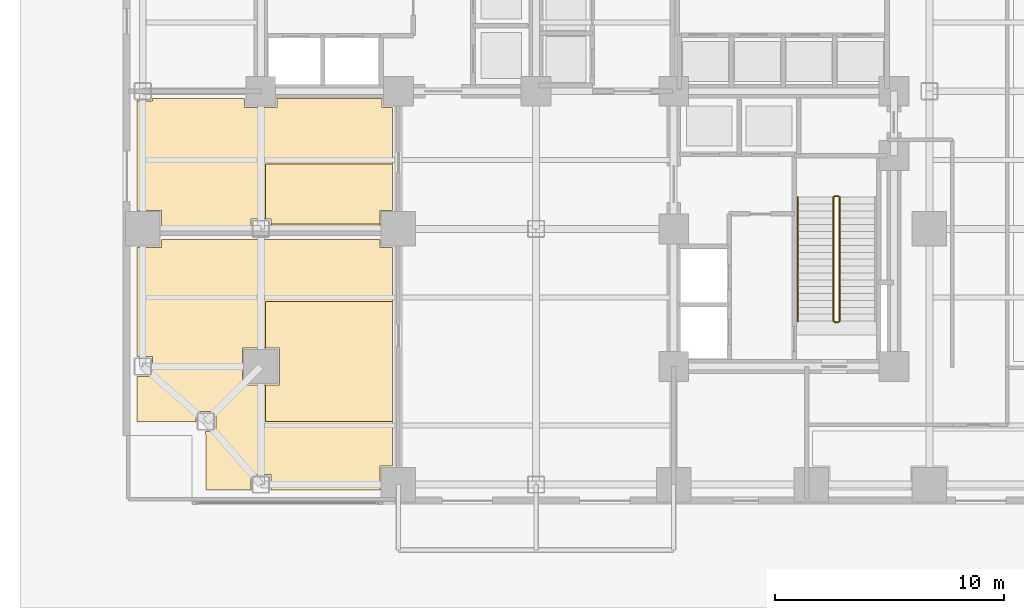
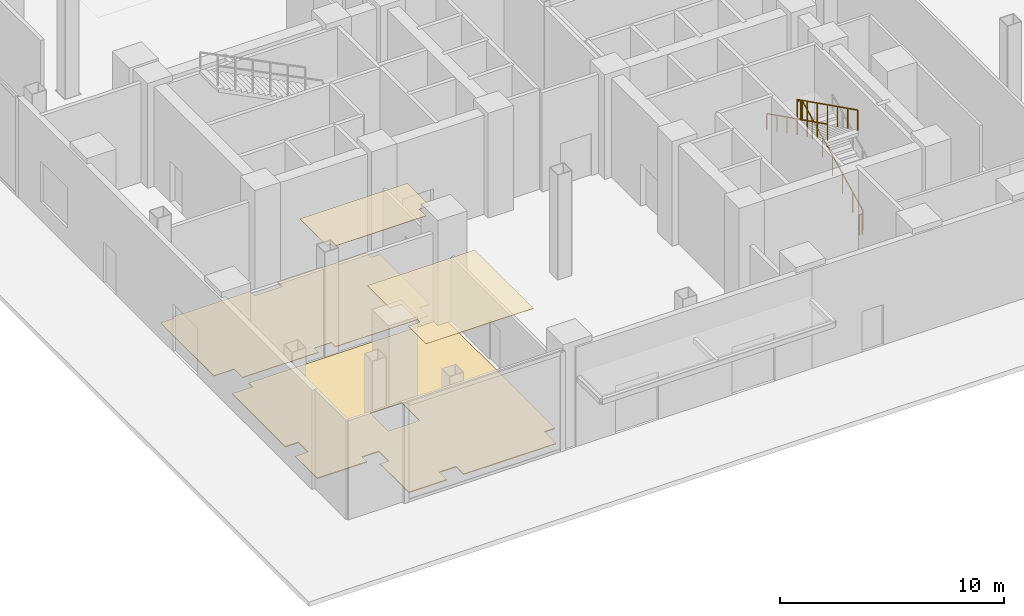
# One storey, part 22 of 27: 5 railings, 4 coverings.
"""IFC4 building model written with IfcOpenShell, lengths in metres."""

from ifc_helpers import new_model, si_unit, direction, frame, origin, origin_2d, place, context, subcontext, project, spatial, polyline, rectangle, outline, extrude, material, layer, layer_set, type_object, element, save


model = new_model("IFC4")

# Units and contexts
model_context = context("Model", 3, precision=1e-05, world=origin(), true_north=direction((0.0, 1.0)))
body_context = subcontext(model_context, "Body", "Model", "MODEL_VIEW")
ifc_project = project(units=[si_unit("LENGTHUNIT", "METRE"), si_unit("AREAUNIT", "SQUARE_METRE"), si_unit("VOLUMEUNIT", "CUBIC_METRE"), si_unit("PLANEANGLEUNIT", "RADIAN"), si_unit("MASSUNIT", "GRAM", prefix="KILO"), si_unit("THERMODYNAMICTEMPERATUREUNIT", "KELVIN"), si_unit("POWERUNIT", "WATT")], contexts=[model_context])

# Site, building, storey
site_placement = place(None, origin())
site = spatial("IfcSite", under=ifc_project, at=site_placement, CompositionType="ELEMENT")
building_placement = place(site_placement, origin())
building = spatial("IfcBuilding", under=site, at=building_placement, Name="Svarakhadi Broadcast Tower", CompositionType="ELEMENT")
storey_placement = place(building_placement, origin())
storey = spatial("IfcBuildingStorey", under=building, at=storey_placement, Name="L00", CompositionType="ELEMENT", Elevation=0.0)

# Coverings
ifc_material_1 = material(Name="Micro-Perforated Mineral Fibre Acoustic Ceiling Tile", Category="mineral_fibre")
ifc_layer_1 = layer(ifc_material_1, 0.02490234375)
ifc_layer_set_1 = layer_set([ifc_layer_1], Name="Micro-Perforated Mineral Fibre Acoustic Ceiling Tile")
covering_type_1 = type_object("IfcCoveringType", Name="Cov_Ceiling_Tile", PredefinedType="CEILING", material=ifc_layer_set_1)
covering_1_placement = place(storey_placement, frame((0.0, 0.0, 5.375)))
element("IfcCovering", 1, at=covering_1_placement, inside=storey, type_object=covering_type_1, Name="L00 Fire Command and BMS Control Room Acoustic Ceiling", PredefinedType="CEILING", context=body_context, shape_type="SweptSolid", body=[
    extrude(outline(polyline([(11.739990234375, 12.81005859375), (11.18994140625, 12.81005859375), (11.18994140625, 12.2099609375), (6.43505859375, 12.2099609375), (6.43505859375, 12.43505859375), (6.2099609375, 12.43505859375), (6.2099609375, 14.830078125), (11.739990234375, 14.830078125), (11.739990234375, 12.81005859375)])), origin(), (0.0, 0.0, 1.0), 0.02490234375),
])
covering_2_placement = place(storey_placement, frame((0.0, 0.0, 5.375)))
element("IfcCovering", 2, at=covering_2_placement, inside=storey, type_object=covering_type_1, Name="L00 Accredited Press Reception Lounge Acoustic Ceiling", PredefinedType="CEILING", context=body_context, shape_type="SweptSolid", body=[
    extrude(outline(polyline([(11.739990234375, 3.594970703125), (6.2099609375, 3.594970703125), (6.2099609375, 3.81005859375), (6.2099609375, 5.18994140625), (6.81005859375, 5.18994140625), (6.81005859375, 6.81005859375), (6.2099609375, 6.81005859375), (6.2099609375, 8.830078125), (11.739990234375, 8.830078125), (11.739990234375, 3.594970703125)])), origin(), (0.0, 0.0, 1.0), 0.02490234375),
])
ifc_material_2 = material(Name="Heavy-Duty Anti-Static Broadcast Raised Access Floor", Category="steel")
ifc_layer_2 = layer(ifc_material_2, 0.050048828125)
ifc_layer_set_2 = layer_set([ifc_layer_2], Name="Heavy-Duty Anti-Static Broadcast Raised Access Floor")
covering_type_2 = type_object("IfcCoveringType", Name="Cov_Floor_Access", PredefinedType="FLOORING", material=ifc_layer_set_2)
covering_3_placement = place(storey_placement, origin())
element("IfcCovering", 3, at=covering_3_placement, inside=storey, type_object=covering_type_2, Name="L00 Accredited Press Reception Lounge Floor Finish", PredefinedType="FLOORING", context=body_context, shape_type="SweptSolid", body=[
    extrude(outline(polyline([(11.739990234375, 1.659912109375), (11.18994140625, 1.659912109375), (11.18994140625, 0.610107421875), (6.43505859375, 0.610107421875), (6.43505859375, 1.284912109375), (5.56494140625, 1.284912109375), (5.56494140625, 0.610107421875), (3.60009765625, 0.610107421875), (3.60009765625, 3.0), (3.60009765625, 3.009033203125), (3.597900390625, 3.050048828125), (3.595947265625, 3.06689453125), (3.590087890625, 3.10791015625), (3.5869140625, 3.1259765625), (3.576904296875, 3.1650390625), (4.034912109375, 3.1650390625), (4.034912109375, 4.034912109375), (3.1650390625, 4.034912109375), (3.1650390625, 3.576904296875), (3.1259765625, 3.5869140625), (3.10791015625, 3.590087890625), (3.06689453125, 3.595947265625), (3.050048828125, 3.597900390625), (3.009033203125, 3.60009765625), (3.0, 3.60009765625), (0.610107421875, 3.60009765625), (0.610107421875, 5.56494140625), (1.284912109375, 5.56494140625), (1.284912109375, 6.43505859375), (0.610107421875, 6.43505859375), (0.610107421875, 11.18994140625), (1.659912109375, 11.18994140625), (1.659912109375, 11.5400390625), (11.18994140625, 11.5400390625), (11.18994140625, 11.18994140625), (11.739990234375, 11.18994140625), (11.739990234375, 1.659912109375)]), holes=[polyline([(5.18994140625, 5.18994140625), (6.81005859375, 5.18994140625), (6.81005859375, 6.81005859375), (5.18994140625, 6.81005859375), (5.18994140625, 5.18994140625)])]), origin(), (0.0, 0.0, 1.0), 0.050048828125),
])
ifc_material_3 = material(Name="Honed Konkan Basalt Stone Tile Flooring", Category="masonry")
ifc_layer_3 = layer(ifc_material_3, 0.034912109375)
ifc_layer_set_3 = layer_set([ifc_layer_3], Name="Honed Konkan Basalt Stone Tile Flooring")
covering_type_3 = type_object("IfcCoveringType", Name="Cov_Floor_Basalt", PredefinedType="FLOORING", material=ifc_layer_set_3)
covering_4_placement = place(storey_placement, origin())
element("IfcCovering", 4, at=covering_4_placement, inside=storey, type_object=covering_type_3, Name="L00 Fire Command and BMS Control Room Floor Finish", PredefinedType="FLOORING", context=body_context, shape_type="SweptSolid", body=[
    extrude(outline(polyline([(5.2900390625, 17.68994140625), (5.2900390625, 17.2900390625), (6.7099609375, 17.2900390625), (6.7099609375, 17.68994140625), (11.2900390625, 17.68994140625), (11.2900390625, 17.2900390625), (11.739990234375, 17.2900390625), (11.739990234375, 12.81005859375), (11.18994140625, 12.81005859375), (11.18994140625, 12.06005859375), (6.43505859375, 12.06005859375), (6.43505859375, 12.43505859375), (5.56494140625, 12.43505859375), (5.56494140625, 12.06005859375), (1.659912109375, 12.06005859375), (1.659912109375, 12.81005859375), (0.610107421875, 12.81005859375), (0.610107421875, 17.56494140625), (1.284912109375, 17.56494140625), (1.284912109375, 17.68994140625), (5.2900390625, 17.68994140625)])), origin(), (0.0, 0.0, 1.0), 0.034912109375),
])

# Railings
ifc_material_4 = material(Name="Anodised Bronze Aluminium AA 6063-T6", Category="aluminium")
railing_type_1 = type_object("IfcRailingType", Name="Guard_Stair_GR01", PredefinedType="GUARDRAIL", material=ifc_material_4)
railing_1_placement = place(storey_placement, frame((31.22998046875, 7.97998046875, 0.14990234375)))
element("IfcRailing", 5, at=railing_1_placement, inside=storey, type_object=railing_type_1, Name="L00 ST-02 stair guard 1", PredefinedType="GUARDRAIL", context=body_context, shape_type="SweptSolid", body=[
    extrude(rectangle(XDim=0.048095703125, YDim=0.048095703125, at=origin_2d()), frame((0.0, 0.0, 1.09619140625), z_axis=(0.0, 0.894411015155, 0.447245945728), x_axis=(-1.0, 0.0, 0.0)), (0.0, 0.0, 1.0), 6.037353515625),
    extrude(rectangle(XDim=0.0419921875, YDim=0.0419921875, at=origin_2d()), origin(), (0.0, 0.0, 1.0), 1.072021484375),
    extrude(rectangle(XDim=0.0419921875, YDim=0.0419921875, at=origin_2d()), frame((0.0, 0.89990234375, 0.449951171875)), (0.0, 0.0, 1.0), 1.072021484375),
    extrude(rectangle(XDim=0.0419921875, YDim=0.0419921875, at=origin_2d()), frame((0.0, 1.800048828125, 0.900146484375)), (0.0, 0.0, 1.0), 1.072021484375),
    extrude(rectangle(XDim=0.0419921875, YDim=0.0419921875, at=origin_2d()), frame((0.0, 2.699951171875, 1.35009765625)), (0.0, 0.0, 1.0), 1.072021484375),
    extrude(rectangle(XDim=0.0419921875, YDim=0.0419921875, at=origin_2d()), frame((0.0, 3.599853515625, 1.800048828125)), (0.0, 0.0, 1.0), 1.072021484375),
    extrude(rectangle(XDim=0.0419921875, YDim=0.0419921875, at=origin_2d()), frame((0.0, 4.5, 2.250244140625)), (0.0, 0.0, 1.0), 1.072021484375),
    extrude(rectangle(XDim=0.0419921875, YDim=0.0419921875, at=origin_2d()), frame((0.0, 5.39990234375, 2.7001953125)), (0.0, 0.0, 1.0), 1.072021484375),
])
railing_2_placement = place(storey_placement, frame((31.179931640625, 13.429931640625, 2.85009765625)))
element("IfcRailing", 6, at=railing_2_placement, inside=storey, type_object=railing_type_1, Name="L00 ST-02 stair guard 2", PredefinedType="GUARDRAIL", context=body_context, shape_type="SweptSolid", body=[
    extrude(rectangle(XDim=0.048095703125, YDim=0.048095703125, at=origin_2d()), frame((0.0, 0.0, 1.09619140625), z_axis=(-1.0, 0.0, 0.0), x_axis=(0.0, -1.0, 0.0)), (0.0, 0.0, 1.0), 0.159912109375),
    extrude(rectangle(XDim=0.0419921875, YDim=0.0419921875, at=origin_2d()), origin(), (0.0, 0.0, 1.0), 1.072021484375),
    extrude(rectangle(XDim=0.0419921875, YDim=0.0419921875, at=origin_2d()), frame((-0.159912109375, 0.0, 0.0)), (0.0, 0.0, 1.0), 1.072021484375),
])
railing_3_placement = place(storey_placement, frame((30.969970703125, 13.3798828125, 3.0)))
element("IfcRailing", 7, at=railing_3_placement, inside=storey, type_object=railing_type_1, Name="L00 ST-02 stair guard 3", PredefinedType="GUARDRAIL", context=body_context, shape_type="SweptSolid", body=[
    extrude(rectangle(XDim=0.048095703125, YDim=0.048095703125, at=origin_2d()), frame((0.0, 0.0, 1.09619140625), z_axis=(0.0, -0.894427191, 0.4472135955), x_axis=(1.0, 0.0, 0.0)), (0.0, 0.0, 1.0), 6.037353515625),
    extrude(rectangle(XDim=0.0419921875, YDim=0.0419921875, at=origin_2d()), origin(), (0.0, 0.0, 1.0), 1.072021484375),
    extrude(rectangle(XDim=0.0419921875, YDim=0.0419921875, at=origin_2d()), frame((0.0, -0.89990234375, 0.449951171875)), (0.0, 0.0, 1.0), 1.072021484375),
    extrude(rectangle(XDim=0.0419921875, YDim=0.0419921875, at=origin_2d()), frame((0.0, -1.800048828125, 0.89990234375)), (0.0, 0.0, 1.0), 1.072021484375),
    extrude(rectangle(XDim=0.0419921875, YDim=0.0419921875, at=origin_2d()), frame((0.0, -2.699951171875, 1.35009765625)), (0.0, 0.0, 1.0), 1.072021484375),
    extrude(rectangle(XDim=0.0419921875, YDim=0.0419921875, at=origin_2d()), frame((0.0, -3.599853515625, 1.800048828125)), (0.0, 0.0, 1.0), 1.072021484375),
    extrude(rectangle(XDim=0.0419921875, YDim=0.0419921875, at=origin_2d()), frame((0.0, -4.5, 2.25)), (0.0, 0.0, 1.0), 1.072021484375),
    extrude(rectangle(XDim=0.0419921875, YDim=0.0419921875, at=origin_2d()), frame((0.0, -5.39990234375, 2.699951171875)), (0.0, 0.0, 1.0), 1.072021484375),
])
railing_4_placement = place(storey_placement, frame((31.179931640625, 7.929931640625, 0.0)))
element("IfcRailing", 8, at=railing_4_placement, inside=storey, type_object=railing_type_1, Name="L00 ST-02 stair guard 4", PredefinedType="GUARDRAIL", context=body_context, shape_type="SweptSolid", body=[
    extrude(rectangle(XDim=0.048095703125, YDim=0.048095703125, at=origin_2d()), frame((0.0, 0.0, 1.09619140625), z_axis=(-1.0, 0.0, 0.0), x_axis=(0.0, -1.0, 0.0)), (0.0, 0.0, 1.0), 0.159912109375),
    extrude(rectangle(XDim=0.0419921875, YDim=0.0419921875, at=origin_2d()), origin(), (0.0, 0.0, 1.0), 1.072021484375),
    extrude(rectangle(XDim=0.0419921875, YDim=0.0419921875, at=origin_2d()), frame((-0.159912109375, 0.0, 0.0)), (0.0, 0.0, 1.0), 1.072021484375),
])
railing_type_2 = type_object("IfcRailingType", Name="Handrail_Stair_HR01", PredefinedType="HANDRAIL", material=ifc_material_4)
railing_5_placement = place(storey_placement, frame((29.409912109375, 13.3798828125, 3.0)))
element("IfcRailing", 9, at=railing_5_placement, inside=storey, type_object=railing_type_2, Name="L00 ST-02 stair handrail 2", PredefinedType="HANDRAIL", context=body_context, shape_type="SweptSolid", body=[
    extrude(rectangle(XDim=0.048095703125, YDim=0.048095703125, at=origin_2d()), frame((0.0, 0.0, 0.8759765625), z_axis=(0.0, -0.894427191, 0.4472135955), x_axis=(1.0, 0.0, 0.0)), (0.0, 0.0, 1.0), 6.037353515625),
    extrude(rectangle(XDim=0.0419921875, YDim=0.0419921875, at=origin_2d()), origin(), (0.0, 0.0, 1.0), 0.851806640625),
    extrude(rectangle(XDim=0.0419921875, YDim=0.0419921875, at=origin_2d()), frame((0.0, -0.89990234375, 0.449951171875)), (0.0, 0.0, 1.0), 0.851806640625),
    extrude(rectangle(XDim=0.0419921875, YDim=0.0419921875, at=origin_2d()), frame((0.0, -1.800048828125, 0.89990234375)), (0.0, 0.0, 1.0), 0.851806640625),
    extrude(rectangle(XDim=0.0419921875, YDim=0.0419921875, at=origin_2d()), frame((0.0, -2.699951171875, 1.35009765625)), (0.0, 0.0, 1.0), 0.851806640625),
    extrude(rectangle(XDim=0.0419921875, YDim=0.0419921875, at=origin_2d()), frame((0.0, -3.599853515625, 1.800048828125)), (0.0, 0.0, 1.0), 0.851806640625),
    extrude(rectangle(XDim=0.0419921875, YDim=0.0419921875, at=origin_2d()), frame((0.0, -4.5, 2.25)), (0.0, 0.0, 1.0), 0.851806640625),
    extrude(rectangle(XDim=0.0419921875, YDim=0.0419921875, at=origin_2d()), frame((0.0, -5.39990234375, 2.699951171875)), (0.0, 0.0, 1.0), 0.851806640625),
])

save(model, "model.ifc")
